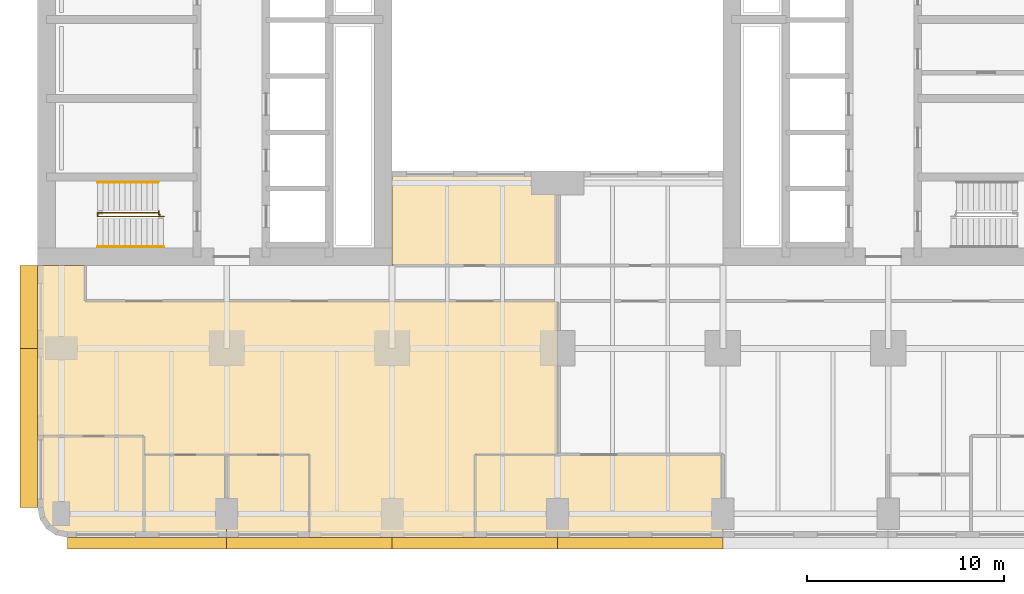
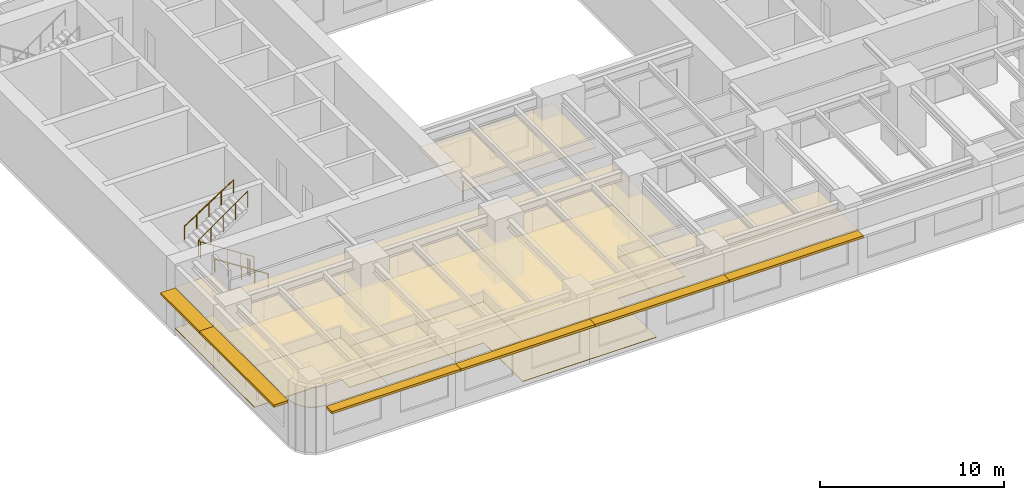
# One storey, part 9 of 12: 7 coverings, 6 shading devices, 4 railings.
"""IFC4 building model written with IfcOpenShell, lengths in metres."""

from ifc_helpers import new_model, si_unit, direction, frame, origin, origin_2d, place, context, subcontext, project, spatial, polyline, rectangle, circle, outline, extrude, material, layer, layer_set, type_object, element, save


model = new_model("IFC4")

# Units and contexts
model_context = context("Model", 3, precision=1e-05, world=origin(), true_north=direction((0.0, 1.0)))
body_context = subcontext(model_context, "Body", "Model", "MODEL_VIEW")
ifc_project = project(units=[si_unit("LENGTHUNIT", "METRE"), si_unit("AREAUNIT", "SQUARE_METRE"), si_unit("VOLUMEUNIT", "CUBIC_METRE"), si_unit("PLANEANGLEUNIT", "RADIAN"), si_unit("MASSUNIT", "GRAM", prefix="KILO")], contexts=[model_context])

# Site, building, storey
site_placement = place(None, origin())
site = spatial("IfcSite", under=ifc_project, at=site_placement, CompositionType="ELEMENT")
building_placement = place(site_placement, origin())
building = spatial("IfcBuilding", under=site, at=building_placement, Name="Claustro Exchange Tower", CompositionType="ELEMENT")
storey_placement = place(building_placement, frame((0.0, 0.0, 45.89990234375)))
storey = spatial("IfcBuildingStorey", under=building, at=storey_placement, Name="L10", CompositionType="ELEMENT", Elevation=45.89990234375)

# Coverings
ifc_material_1 = material(Name="Perforated metal ceiling tiles", Category="steel")
ifc_layer_1 = layer(ifc_material_1, 0.030029296875)
ifc_layer_set_1 = layer_set([ifc_layer_1], Name="Perforated metal ceiling tiles")
covering_type_1 = type_object("IfcCoveringType", Name="CL1 suspended metal ceiling", PredefinedType="CEILING", material=ifc_layer_set_1)
covering_1_placement = place(storey_placement, frame((0.0, 0.0, 3.0)))
element("IfcCovering", 1, at=covering_1_placement, inside=storey, type_object=covering_type_1, Name="Ceiling CL1 L10-10", PredefinedType="CEILING", context=body_context, shape_type="SweptSolid", body=[
    extrude(outline(polyline([(16.800048828125, 17.39990234375), (16.800048828125, 12.60009765625), (25.199951171875, 12.60009765625), (25.199951171875, 17.39990234375), (16.800048828125, 17.39990234375)])), origin(), (0.0, 0.0, 1.0), 0.030029296875),
])
ifc_material_2 = material(Name="Gypsum board ceiling", Category="gypsum board")
ifc_layer_2 = layer(ifc_material_2, 0.02490234375)
ifc_layer_set_2 = layer_set([ifc_layer_2], Name="Gypsum board ceiling")
covering_type_2 = type_object("IfcCoveringType", Name="CL2 plasterboard ceiling", PredefinedType="CEILING", material=ifc_layer_set_2)
covering_2_placement = place(storey_placement, frame((0.0, 0.0, 3.0)))
element("IfcCovering", 2, at=covering_2_placement, inside=storey, type_object=covering_type_2, Name="Ceiling CL2 L10-02", PredefinedType="CEILING", context=body_context, shape_type="SweptSolid", body=[
    extrude(outline(polyline([(4.199951171875, -1.199951171875), (8.39990234375, -1.199951171875), (8.39990234375, 3.0), (4.199951171875, 3.0), (4.199951171875, -1.199951171875)])), origin(), (0.0, 0.0, 1.0), 0.025146484375),
])
covering_3_placement = place(storey_placement, frame((0.0, 0.0, 3.0)))
element("IfcCovering", 3, at=covering_3_placement, inside=storey, type_object=covering_type_2, Name="Ceiling CL2 L10-03", PredefinedType="CEILING", context=body_context, shape_type="SweptSolid", body=[
    extrude(outline(polyline([(8.39990234375, -1.199951171875), (12.60009765625, -1.199951171875), (12.60009765625, 3.0), (8.39990234375, 3.0), (8.39990234375, -1.199951171875)])), origin(), (0.0, 0.0, 1.0), 0.025146484375),
])
covering_4_placement = place(storey_placement, frame((0.0, 0.0, 3.0)))
element("IfcCovering", 4, at=covering_4_placement, inside=storey, type_object=covering_type_2, Name="Ceiling CL2 L10-04", PredefinedType="CEILING", context=body_context, shape_type="SweptSolid", body=[
    extrude(outline(polyline([(21.0, -1.199951171875), (33.60009765625, -1.199951171875), (33.60009765625, 3.0), (21.0, 3.0), (21.0, -1.199951171875)])), origin(), (0.0, 0.0, 1.0), 0.025146484375),
])
covering_5_placement = place(storey_placement, frame((0.0, 0.0, 3.0)))
element("IfcCovering", 5, at=covering_5_placement, inside=storey, type_object=covering_type_2, Name="Ceiling CL2 L10-05", PredefinedType="CEILING", context=body_context, shape_type="SweptSolid", body=[
    extrude(outline(polyline([(-1.085693359375, -0.27392578125), (-0.7607421875, -0.7607421875), (-0.27392578125, -1.085693359375), (0.300048828125, -1.199951171875), (4.199951171875, -1.199951171875), (4.199951171875, 3.949951171875), (-1.199951171875, 3.949951171875), (-1.199951171875, 0.300048828125), (-1.085693359375, -0.27392578125)])), origin(), (0.0, 0.0, 1.0), 0.025146484375),
])
covering_6_placement = place(storey_placement, frame((0.0, 0.0, 3.0)))
element("IfcCovering", 6, at=covering_6_placement, inside=storey, type_object=covering_type_2, Name="Ceiling CL2 L10-08", PredefinedType="CEILING", context=body_context, shape_type="SweptSolid", body=[
    extrude(outline(polyline([(-1.199951171875, 12.60009765625), (-1.199951171875, 3.949951171875), (4.199951171875, 3.949951171875), (4.199951171875, 3.0), (8.39990234375, 3.0), (12.60009765625, 3.0), (12.60009765625, -1.199951171875), (21.0, -1.199951171875), (21.0, 3.0), (25.199951171875, 3.0), (25.199951171875, 10.800048828125), (1.199951171875, 10.800048828125), (1.199951171875, 12.60009765625), (-1.199951171875, 12.60009765625)])), origin(), (0.0, 0.0, 1.0), 0.025146484375),
])

# Railings
ifc_material_3 = material(Name="Steel balustrade, painted", Category="steel")
railing_type_1 = type_object("IfcRailingType", Name="GR2 1100 steel stair guard", PredefinedType="GUARDRAIL", material=ifc_material_3)
railing_1_placement = place(storey_placement, frame((5.199951171875, 15.10009765625, 0.18017578125)))
element("IfcRailing", 7, at=railing_1_placement, inside=storey, type_object=railing_type_1, Name="Stair well guard GR2 stair STWA L10", PredefinedType="GUARDRAIL", context=body_context, shape_type="SweptSolid", body=[
    extrude(circle(Radius=0.02392578125, at=origin_2d()), frame((0.0, 0.0, 1.076171875), z_axis=(-0.841178475377, 0.0, 0.540757591313), x_axis=(0.0, -1.0, 0.0)), (0.0, 0.0, 1.0), 3.994140625),
    extrude(circle(Radius=0.02392578125, at=origin_2d()), frame((-3.35986328125, 0.0, 3.23583984375), z_axis=(0.0, 1.0, 0.0), x_axis=(-1.0, 0.0, 0.0)), (0.0, 0.0, 1.0), 0.199951171875),
    extrude(circle(Radius=0.02392578125, at=origin_2d()), frame((-3.35986328125, 0.199951171875, 3.23583984375), z_axis=(0.818728512145, 0.0, 0.574180828137), x_axis=(0.0, 1.0, 0.0)), (0.0, 0.0, 1.0), 3.76171875),
    extrude(circle(Radius=0.02099609375, at=origin_2d()), origin(), (0.0, 0.0, 1.0), 1.052001953125),
    extrude(circle(Radius=0.02099609375, at=origin_2d()), frame((-0.83984375, 0.0, 0.5400390625)), (0.0, 0.0, 1.0), 1.052001953125),
    extrude(circle(Radius=0.02099609375, at=origin_2d()), frame((-1.679931640625, 0.0, 1.080078125)), (0.0, 0.0, 1.0), 1.052001953125),
    extrude(circle(Radius=0.02099609375, at=origin_2d()), frame((-2.52001953125, 0.0, 1.619873046875)), (0.0, 0.0, 1.0), 1.052001953125),
    extrude(circle(Radius=0.02099609375, at=origin_2d()), frame((-3.35986328125, 0.0, 2.159912109375)), (0.0, 0.0, 1.0), 1.052001953125),
    extrude(circle(Radius=0.02099609375, at=origin_2d()), frame((-3.35986328125, 0.199951171875, 2.159912109375)), (0.0, 0.0, 1.0), 1.052001953125),
    extrude(circle(Radius=0.02099609375, at=origin_2d()), frame((-2.58984375, 0.199951171875, 2.699951171875)), (0.0, 0.0, 1.0), 1.052001953125),
    extrude(circle(Radius=0.02099609375, at=origin_2d()), frame((-1.81982421875, 0.199951171875, 3.23974609375)), (0.0, 0.0, 1.0), 1.052001953125),
    extrude(circle(Radius=0.02099609375, at=origin_2d()), frame((-1.050048828125, 0.199951171875, 3.77978515625)), (0.0, 0.0, 1.0), 1.052001953125),
    extrude(circle(Radius=0.02099609375, at=origin_2d()), frame((-0.280029296875, 0.199951171875, 4.31982421875)), (0.0, 0.0, 1.0), 1.052001953125),
])
railing_2_placement = place(storey_placement, frame((5.0, 15.169921875, 0.0)))
element("IfcRailing", 8, at=railing_2_placement, inside=storey, type_object=railing_type_1, Name="Stair guard GR2 STWA L10", PredefinedType="GUARDRAIL", context=body_context, shape_type="SweptSolid", body=[
    extrude(circle(Radius=0.02392578125, at=origin_2d()), frame((0.0, 0.0, 1.076171875), z_axis=(0.0, 1.0, 0.0), x_axis=(-1.0, 0.0, 0.0)), (0.0, 0.0, 1.0), 0.030029296875),
    extrude(circle(Radius=0.02392578125, at=origin_2d()), frame((0.0, 0.030029296875, 1.076171875), z_axis=(-1.0, 0.0, 0.0), x_axis=(0.0, -1.0, 0.0)), (0.0, 0.0, 1.0), 0.054931640625),
    extrude(circle(Radius=0.02392578125, at=origin_2d()), frame((-0.054931640625, 0.030029296875, 1.076171875), z_axis=(0.0, 1.0, 0.0), x_axis=(-1.0, 0.0, 0.0)), (0.0, 0.0, 1.0), 0.179931640625),
    extrude(circle(Radius=0.02099609375, at=origin_2d()), origin(), (0.0, 0.0, 1.0), 1.052001953125),
    extrude(circle(Radius=0.02099609375, at=origin_2d()), frame((0.0, 0.030029296875, 0.0)), (0.0, 0.0, 1.0), 1.052001953125),
    extrude(circle(Radius=0.02099609375, at=origin_2d()), frame((-0.054931640625, 0.030029296875, 0.0)), (0.0, 0.0, 1.0), 1.052001953125),
    extrude(circle(Radius=0.02099609375, at=origin_2d()), frame((-0.054931640625, 0.2099609375, 0.0)), (0.0, 0.0, 1.0), 1.052001953125),
])
ifc_material_4 = material(Name="Stainless steel tube", Category="steel")
railing_type_2 = type_object("IfcRailingType", Name="HR1 900 stair handrail", PredefinedType="HANDRAIL", material=ifc_material_4)
railing_3_placement = place(storey_placement, frame((5.199951171875, 13.56005859375, 0.18017578125)))
element("IfcRailing", 9, at=railing_3_placement, inside=storey, type_object=railing_type_2, Name="Handrail HR1 stair STWA L10", PredefinedType="HANDRAIL", context=body_context, shape_type="SweptSolid", body=[
    extrude(circle(Radius=0.02392578125, at=origin_2d()), frame((0.0, 0.0, 0.8759765625), z_axis=(-0.841178475377, 0.0, 0.540757591313), x_axis=(0.0, -1.0, 0.0)), (0.0, 0.0, 1.0), 3.994140625),
    extrude(circle(Radius=0.02099609375, at=origin_2d()), origin(), (0.0, 0.0, 1.0), 0.851806640625),
    extrude(circle(Radius=0.02099609375, at=origin_2d()), frame((-0.83984375, 0.0, 0.5400390625)), (0.0, 0.0, 1.0), 0.851806640625),
    extrude(circle(Radius=0.02099609375, at=origin_2d()), frame((-1.679931640625, 0.0, 1.080078125)), (0.0, 0.0, 1.0), 0.851806640625),
    extrude(circle(Radius=0.02099609375, at=origin_2d()), frame((-2.52001953125, 0.0, 1.619873046875)), (0.0, 0.0, 1.0), 0.851806640625),
    extrude(circle(Radius=0.02099609375, at=origin_2d()), frame((-3.35986328125, 0.0, 2.159912109375)), (0.0, 0.0, 1.0), 0.851806640625),
])
railing_4_placement = place(storey_placement, frame((1.840087890625, 16.840087890625, 2.52001953125)))
element("IfcRailing", 10, at=railing_4_placement, inside=storey, type_object=railing_type_2, Name="Handrail HR1 stair STWA L10", PredefinedType="HANDRAIL", context=body_context, shape_type="SweptSolid", body=[
    extrude(circle(Radius=0.02392578125, at=origin_2d()), frame((0.0, 0.0, 0.8759765625), z_axis=(0.841167642724, 0.0, 0.540774441735), x_axis=(0.0, 1.0, 0.0)), (0.0, 0.0, 1.0), 3.661376953125),
    extrude(circle(Radius=0.02099609375, at=origin_2d()), origin(), (0.0, 0.0, 1.0), 0.851806640625),
    extrude(circle(Radius=0.02099609375, at=origin_2d()), frame((0.77001953125, 0.0, 0.4951171875)), (0.0, 0.0, 1.0), 0.851806640625),
    extrude(circle(Radius=0.02099609375, at=origin_2d()), frame((1.5400390625, 0.0, 0.989990234375)), (0.0, 0.0, 1.0), 0.851806640625),
    extrude(circle(Radius=0.02099609375, at=origin_2d()), frame((2.309814453125, 0.0, 1.48486328125)), (0.0, 0.0, 1.0), 0.851806640625),
    extrude(circle(Radius=0.02099609375, at=origin_2d()), frame((3.079833984375, 0.0, 1.97998046875)), (0.0, 0.0, 1.0), 0.851806640625),
])

# Covering
ifc_material_5 = material(Name="Steel-encased raised floor panels on pedestals", Category="steel")
ifc_layer_3 = layer(ifc_material_5, 0.0400390625)
ifc_layer_set_3 = layer_set([ifc_layer_3], Name="Steel-encased raised floor panels on pedestals")
covering_type_3 = type_object("IfcCoveringType", Name="RF1 300 raised access floor", PredefinedType="FLOORING", material=ifc_layer_set_3)
covering_7_placement = place(storey_placement, frame((0.0, 0.0, 0.260009765625)))
element("IfcCovering", 11, at=covering_7_placement, inside=storey, type_object=covering_type_3, Name="Raised access floor RF1 L10-08", PredefinedType="FLOORING", context=body_context, shape_type="SweptSolid", body=[
    extrude(outline(polyline([(-1.199951171875, 12.60009765625), (-1.199951171875, 3.949951171875), (4.199951171875, 3.949951171875), (4.199951171875, 3.0), (8.39990234375, 3.0), (12.60009765625, 3.0), (12.60009765625, -1.199951171875), (21.0, -1.199951171875), (21.0, 3.0), (25.199951171875, 3.0), (25.199951171875, 10.800048828125), (1.199951171875, 10.800048828125), (1.199951171875, 12.60009765625), (-1.199951171875, 12.60009765625)])), origin(), (0.0, 0.0, 1.0), 0.0400390625),
])

# Shading devices
ifc_material_6 = material(Name="Concrete HA-40 (C40/50), precast, white cement, acid-etched", Category="concrete")
ifc_layer_4 = layer(ifc_material_6, 0.14990234375)
ifc_layer_set_4 = layer_set([ifc_layer_4], Name="Concrete HA-40 (C40/50), precast, white cement, acid-etched")
shading_device_type_1 = type_object("IfcShadingDeviceType", Name="SS1 600 precast concrete SUNSHADE", PredefinedType="SHUTTER", material=ifc_layer_set_4)
for number, where, z_axis, x_axis, name in (
    (12, (29.39990234375, -1.5, 2.800048828125), (0.0, 0.0, 1.0), (-1.0, 0.0, 0.0), "Precast SUNSHADE SS1 L10"),
    (13, (21.0, -1.5, 2.800048828125), (0.0, 0.0, 1.0), (-1.0, 0.0, 0.0), "Precast SUNSHADE SS1 L10"),
    (14, (12.60009765625, -1.5, 2.800048828125), (0.0, 0.0, 1.0), (-1.0, 0.0, 0.0), "Precast SUNSHADE SS1 L10"),
):
    element("IfcShadingDevice", number, at=place(storey_placement, frame(where, z_axis=z_axis, x_axis=x_axis)), inside=storey, type_object=shading_device_type_1, Name=name, PredefinedType="SHUTTER", context=body_context, shape_type="SweptSolid", body=[
        extrude(rectangle(XDim=8.39990234375, YDim=0.60009765625, at=origin_2d()), origin(), (0.0, 0.0, 1.0), 0.14990234375),
    ])
shading_device_1_placement = place(storey_placement, frame((4.357421875, -1.5, 2.800048828125), z_axis=(0.0, 0.0, 1.0), x_axis=(-1.0, 0.0, 0.0)))
element("IfcShadingDevice", 15, at=shading_device_1_placement, inside=storey, type_object=shading_device_type_1, Name="Precast SUNSHADE SS1 L10", PredefinedType="SHUTTER", context=body_context, shape_type="SweptSolid", body=[
    extrude(rectangle(XDim=8.085205078125, YDim=0.60009765625, at=origin_2d()), origin(), (0.0, 0.0, 1.0), 0.14990234375),
])
ifc_material_7 = material(Name="Concrete HA-40 (C40/50), precast, white cement, acid-etched", Category="concrete")
ifc_layer_5 = layer(ifc_material_7, 0.14990234375)
ifc_layer_set_5 = layer_set([ifc_layer_5], Name="Concrete HA-40 (C40/50), precast, white cement, acid-etched")
shading_device_type_2 = type_object("IfcShadingDeviceType", Name="SS2 900 precast concrete SUNSHADE", PredefinedType="SHUTTER", material=ifc_layer_set_5)
shading_device_2_placement = place(storey_placement, frame((-1.64990234375, 4.357421875, 2.800048828125), z_axis=(0.0, 0.0, 1.0), x_axis=(0.0, 1.0, 0.0)))
element("IfcShadingDevice", 16, at=shading_device_2_placement, inside=storey, type_object=shading_device_type_2, Name="Precast SUNSHADE SS2 L10", PredefinedType="SHUTTER", context=body_context, shape_type="SweptSolid", body=[
    extrude(rectangle(XDim=8.085205078125, YDim=0.89990234375, at=origin_2d()), origin(), (0.0, 0.0, 1.0), 0.14990234375),
])
shading_device_3_placement = place(storey_placement, frame((-1.64990234375, 10.5, 2.800048828125), z_axis=(0.0, 0.0, 1.0), x_axis=(0.0, 1.0, 0.0)))
element("IfcShadingDevice", 17, at=shading_device_3_placement, inside=storey, type_object=shading_device_type_2, Name="Precast SUNSHADE SS2 L10", PredefinedType="SHUTTER", context=body_context, shape_type="SweptSolid", body=[
    extrude(rectangle(XDim=4.199951171875, YDim=0.89990234375, at=origin_2d()), origin(), (0.0, 0.0, 1.0), 0.14990234375),
])

save(model, "model.ifc")
